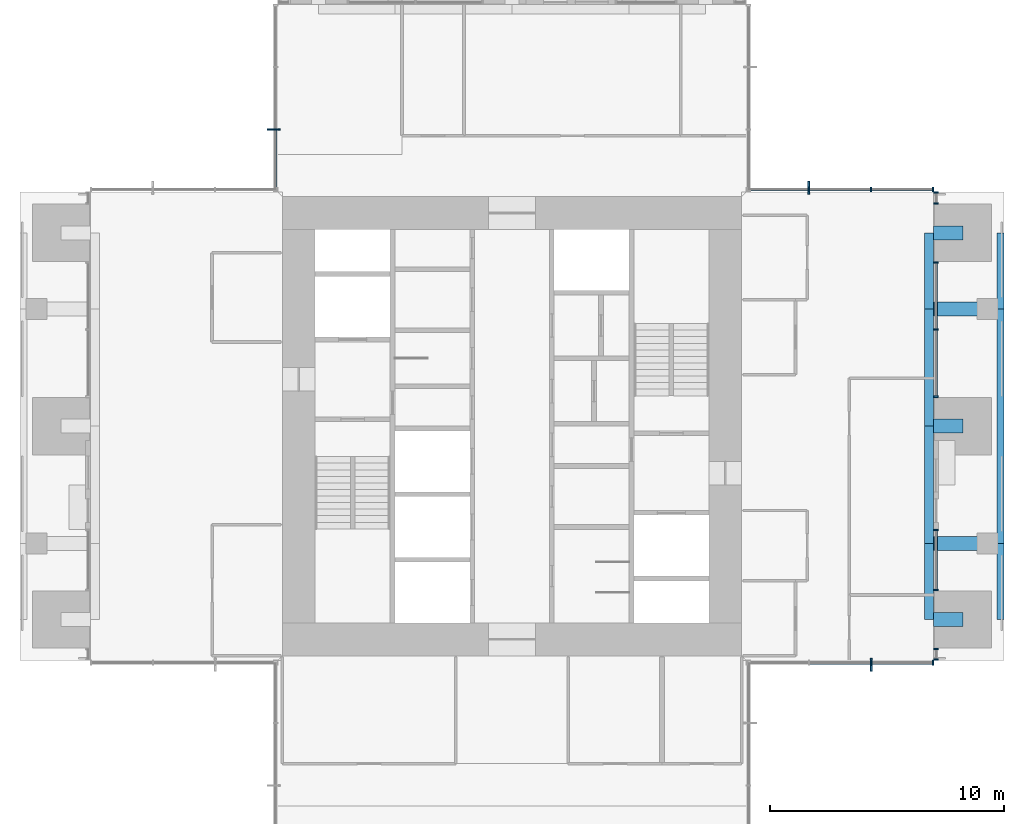
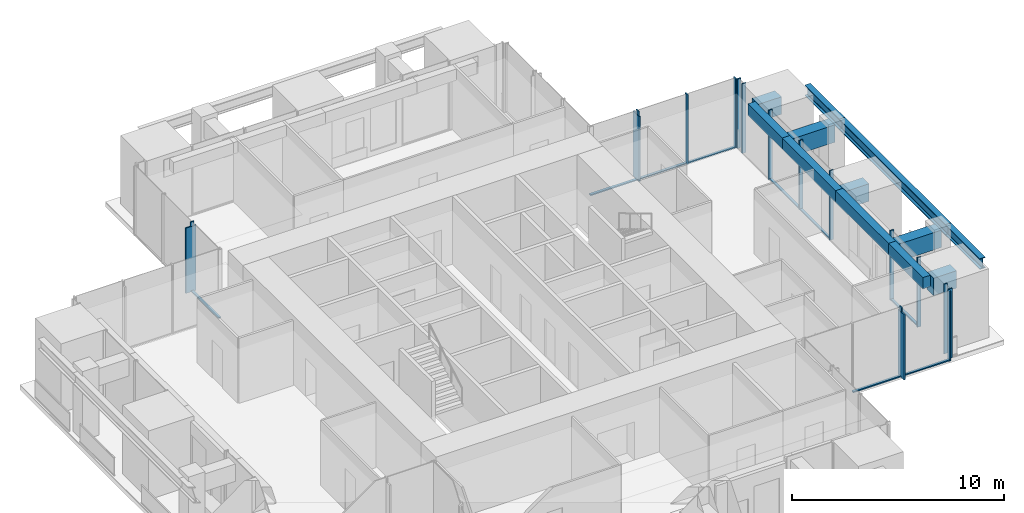
# One storey, part 4 of 17: 27 members, 12 beams, 7 elements without a shape of their own.
"""IFC4 building model written with IfcOpenShell, lengths in metres."""

from ifc_helpers import new_model, si_unit, direction, frame, origin, origin_2d, place, context, subcontext, project, spatial, rectangle, i_section, extrude, material, material_profile, profile_set, type_object, element, aggregate, save


model = new_model("IFC4")

# Units and contexts
model_context = context("Model", 3, precision=1e-05, world=origin(), true_north=direction((0.0, 1.0)))
body_context = subcontext(model_context, "Body", "Model", "MODEL_VIEW")
ifc_project = project(units=[si_unit("LENGTHUNIT", "METRE"), si_unit("AREAUNIT", "SQUARE_METRE"), si_unit("VOLUMEUNIT", "CUBIC_METRE"), si_unit("PLANEANGLEUNIT", "RADIAN"), si_unit("MASSUNIT", "GRAM", prefix="KILO")], contexts=[model_context])

# Site, building, storey
site_placement = place(None, origin())
site = spatial("IfcSite", under=ifc_project, at=site_placement, CompositionType="ELEMENT")
building_placement = place(site_placement, origin())
building = spatial("IfcBuilding", under=site, at=building_placement, Name="Svetlomir Tower", CompositionType="ELEMENT")
storey_placement = place(building_placement, frame((0.0, 0.0, 226.5)))
storey = spatial("IfcBuildingStorey", under=building, at=storey_placement, Name="L54", CompositionType="ELEMENT", Elevation=226.5)

# Curtain wall, member
ifc_material_1 = material(Name="Bronze anodised aluminium curtain wall", Category="aluminium")
curtain_wall_type = type_object("IfcCurtainWallType", Name="CURTAIN WALL CW1 TOWER OFFICE", PredefinedType="NOTDEFINED", material=ifc_material_1)
curtain_wall_1_placement = place(storey_placement, origin())
curtain_wall_1 = element("IfcCurtainWall", 1, at=curtain_wall_1_placement, inside=storey, type_object=curtain_wall_type, Name="Curtain wall CW1 L54", PredefinedType="NOTDEFINED")
ifc_material_2 = material(Name="Bronze anodised aluminium", Category="aluminium")
ifc_material_profile_1 = material_profile(ifc_material_2, rectangle(XDim=0.080078125, YDim=0.550048828125, at=origin_2d()), Name="FIN 80x550")
ifc_profile_set_1 = profile_set([ifc_material_profile_1], Name="Bronze anodised aluminium 6063-T6")
member_type_1 = type_object("IfcMemberType", Name="BRONZE FIN 80x550", PredefinedType="USERDEFINED", material=ifc_profile_set_1)
member_1_placement = place(storey_placement, frame((36.333251953125, 10.824951171875, 0.0), z_axis=(0.0, 0.0, 1.0), x_axis=(1.0, 0.0, 0.0)))
member_1 = element("IfcMember", 2, at=member_1_placement, type_object=member_type_1, Name="Bronze fin L54", ObjectType="FIN", PredefinedType="USERDEFINED", context=body_context, shape_type="SweptSolid", body=[
    extrude(rectangle(XDim=0.080078125, YDim=0.550048828125, at=origin_2d()), origin(), (0.0, 0.0, 1.0), 3.75),
])

curtain_wall_2_placement = place(storey_placement, origin())
curtain_wall_2 = element("IfcCurtainWall", 3, at=curtain_wall_2_placement, inside=storey, type_object=curtain_wall_type, Name="Curtain wall CW1 L54", PredefinedType="NOTDEFINED")
member_2_placement = place(storey_placement, frame((33.666748046875, 31.175048828125, 0.0), z_axis=(0.0, 0.0, 1.0), x_axis=(1.0, 0.0, 0.0)))
member_2 = element("IfcMember", 4, at=member_2_placement, type_object=member_type_1, Name="Bronze fin L54", ObjectType="FIN", PredefinedType="USERDEFINED", context=body_context, shape_type="SweptSolid", body=[
    extrude(rectangle(XDim=0.080078125, YDim=0.550048828125, at=origin_2d()), origin(), (0.0, 0.0, 1.0), 3.75),
])

curtain_wall_3_placement = place(storey_placement, origin())
curtain_wall_3 = element("IfcCurtainWall", 5, at=curtain_wall_3_placement, inside=storey, type_object=curtain_wall_type, Name="Curtain wall CW1 L54", PredefinedType="NOTDEFINED")
member_3_placement = place(storey_placement, frame((10.824951171875, 33.666748046875, 0.0), z_axis=(0.0, 0.0, 1.0), x_axis=(0.0, 1.0, 0.0)))
member_3 = element("IfcMember", 6, at=member_3_placement, type_object=member_type_1, Name="Bronze fin L54", ObjectType="FIN", PredefinedType="USERDEFINED", context=body_context, shape_type="SweptSolid", body=[
    extrude(rectangle(XDim=0.080078125, YDim=0.550048828125, at=origin_2d()), origin(), (0.0, 0.0, 1.0), 3.75),
])

# Member
ifc_material_3 = material(Name="Bronze anodised aluminium", Category="aluminium")
ifc_material_profile_2 = material_profile(ifc_material_3, rectangle(XDim=0.06494140625, YDim=0.199951171875, at=origin_2d()), Name="AL 65x200")
ifc_profile_set_2 = profile_set([ifc_material_profile_2], Name="Bronze anodised aluminium 6063-T6")
member_type_2 = type_object("IfcMemberType", Name="CW1 MULLION 65x200", PredefinedType="MULLION", material=ifc_profile_set_2)
member_4_placement = place(storey_placement, frame((36.333251953125, 10.89990234375, 0.0), z_axis=(0.0, 0.0, 1.0), x_axis=(1.0, 0.0, 0.0)))
member_4 = element("IfcMember", 7, at=member_4_placement, type_object=member_type_2, Name="CW1 mullion 3", PredefinedType="MULLION", context=body_context, shape_type="SweptSolid", body=[
    extrude(rectangle(XDim=0.06494140625, YDim=0.199951171875, at=origin_2d()), origin(), (0.0, 0.0, 1.0), 4.0),
])

member_5_placement = place(storey_placement, frame((38.967529296875, 10.89990234375, 0.0), z_axis=(0.0, 0.0, 1.0), x_axis=(1.0, 0.0, 0.0)))
member_5 = element("IfcMember", 8, at=member_5_placement, type_object=member_type_2, Name="CW1 mullion 4", PredefinedType="MULLION", context=body_context, shape_type="SweptSolid", body=[
    extrude(rectangle(XDim=0.06494140625, YDim=0.199951171875, at=origin_2d()), origin(), (0.0, 0.0, 1.0), 4.0),
])

# Curtain wall, members
curtain_wall_4_placement = place(storey_placement, origin())
curtain_wall_4 = element("IfcCurtainWall", 9, at=curtain_wall_4_placement, inside=storey, type_object=curtain_wall_type, Name="Curtain wall CW1 L54", PredefinedType="NOTDEFINED")
member_6_placement = place(storey_placement, frame((39.10009765625, 11.032470703125, 0.0), z_axis=(0.0, 0.0, 1.0), x_axis=(0.0, 1.0, 0.0)))
member_6 = element("IfcMember", 10, at=member_6_placement, type_object=member_type_2, Name="CW1 mullion 1", PredefinedType="MULLION", context=body_context, shape_type="SweptSolid", body=[
    extrude(rectangle(XDim=0.06494140625, YDim=0.199951171875, at=origin_2d()), origin(), (0.0, 0.0, 1.0), 4.0),
])
member_7_placement = place(storey_placement, frame((39.10009765625, 11.492431640625, 0.0), z_axis=(0.0, 0.0, 1.0), x_axis=(0.0, 1.0, 0.0)))
member_7 = element("IfcMember", 11, at=member_7_placement, type_object=member_type_2, Name="CW1 mullion 2", PredefinedType="MULLION", context=body_context, shape_type="SweptSolid", body=[
    extrude(rectangle(XDim=0.06494140625, YDim=0.199951171875, at=origin_2d()), origin(), (0.0, 0.0, 1.0), 4.0),
])
aggregate(curtain_wall_4, [member_6, member_7])

curtain_wall_5_placement = place(storey_placement, origin())
curtain_wall_5 = element("IfcCurtainWall", 12, at=curtain_wall_5_placement, inside=storey, type_object=curtain_wall_type, Name="Curtain wall CW1 L54", PredefinedType="NOTDEFINED")
member_8_placement = place(storey_placement, frame((39.10009765625, 14.007568359375, 0.0), z_axis=(0.0, 0.0, 1.0), x_axis=(0.0, 1.0, 0.0)))
member_8 = element("IfcMember", 13, at=member_8_placement, type_object=member_type_2, Name="CW1 mullion 1", PredefinedType="MULLION", context=body_context, shape_type="SweptSolid", body=[
    extrude(rectangle(XDim=0.06494140625, YDim=0.199951171875, at=origin_2d()), origin(), (0.0, 0.0, 1.0), 4.0),
])
member_9_placement = place(storey_placement, frame((39.10009765625, 16.5673828125, 0.0), z_axis=(0.0, 0.0, 1.0), x_axis=(0.0, 1.0, 0.0)))
member_9 = element("IfcMember", 14, at=member_9_placement, type_object=member_type_2, Name="CW1 mullion 2", PredefinedType="MULLION", context=body_context, shape_type="SweptSolid", body=[
    extrude(rectangle(XDim=0.06494140625, YDim=0.199951171875, at=origin_2d()), origin(), (0.0, 0.0, 1.0), 4.0),
])

curtain_wall_6_placement = place(storey_placement, origin())
curtain_wall_6 = element("IfcCurtainWall", 15, at=curtain_wall_6_placement, inside=storey, type_object=curtain_wall_type, Name="Curtain wall CW1 L54", PredefinedType="NOTDEFINED")
member_10_placement = place(storey_placement, frame((39.10009765625, 22.257568359375, 0.0), z_axis=(0.0, 0.0, 1.0), x_axis=(0.0, 1.0, 0.0)))
member_10 = element("IfcMember", 16, at=member_10_placement, type_object=member_type_2, Name="CW1 mullion 1", PredefinedType="MULLION", context=body_context, shape_type="SweptSolid", body=[
    extrude(rectangle(XDim=0.06494140625, YDim=0.199951171875, at=origin_2d()), origin(), (0.0, 0.0, 1.0), 4.0),
])
member_11_placement = place(storey_placement, frame((39.10009765625, 25.125, 0.0), z_axis=(0.0, 0.0, 1.0), x_axis=(0.0, 1.0, 0.0)))
member_11 = element("IfcMember", 17, at=member_11_placement, type_object=member_type_2, Name="CW1 mullion 2", PredefinedType="MULLION", context=body_context, shape_type="SweptSolid", body=[
    extrude(rectangle(XDim=0.06494140625, YDim=0.199951171875, at=origin_2d()), origin(), (0.0, 0.0, 1.0), 4.0),
])
member_12_placement = place(storey_placement, frame((39.10009765625, 27.992431640625, 0.0), z_axis=(0.0, 0.0, 1.0), x_axis=(0.0, 1.0, 0.0)))
member_12 = element("IfcMember", 18, at=member_12_placement, type_object=member_type_2, Name="CW1 mullion 3", PredefinedType="MULLION", context=body_context, shape_type="SweptSolid", body=[
    extrude(rectangle(XDim=0.06494140625, YDim=0.199951171875, at=origin_2d()), origin(), (0.0, 0.0, 1.0), 4.0),
])

curtain_wall_7_placement = place(storey_placement, origin())
curtain_wall_7 = element("IfcCurtainWall", 19, at=curtain_wall_7_placement, inside=storey, type_object=curtain_wall_type, Name="Curtain wall CW1 L54", PredefinedType="NOTDEFINED")
member_13_placement = place(storey_placement, frame((39.10009765625, 30.507568359375, 0.0), z_axis=(0.0, 0.0, 1.0), x_axis=(0.0, 1.0, 0.0)))
member_13 = element("IfcMember", 20, at=member_13_placement, type_object=member_type_2, Name="CW1 mullion 1", PredefinedType="MULLION", context=body_context, shape_type="SweptSolid", body=[
    extrude(rectangle(XDim=0.06494140625, YDim=0.199951171875, at=origin_2d()), origin(), (0.0, 0.0, 1.0), 4.0),
])
member_14_placement = place(storey_placement, frame((39.10009765625, 30.967529296875, 0.0), z_axis=(0.0, 0.0, 1.0), x_axis=(0.0, 1.0, 0.0)))
member_14 = element("IfcMember", 21, at=member_14_placement, type_object=member_type_2, Name="CW1 mullion 2", PredefinedType="MULLION", context=body_context, shape_type="SweptSolid", body=[
    extrude(rectangle(XDim=0.06494140625, YDim=0.199951171875, at=origin_2d()), origin(), (0.0, 0.0, 1.0), 4.0),
])
aggregate(curtain_wall_7, [member_13, member_14])

# Member
member_15_placement = place(storey_placement, frame((38.967529296875, 31.10009765625, 0.0), z_axis=(0.0, 0.0, 1.0), x_axis=(-1.0, 0.0, 0.0)))
member_15 = element("IfcMember", 22, at=member_15_placement, type_object=member_type_2, Name="CW1 mullion 1", PredefinedType="MULLION", context=body_context, shape_type="SweptSolid", body=[
    extrude(rectangle(XDim=0.06494140625, YDim=0.199951171875, at=origin_2d()), origin(), (0.0, 0.0, 1.0), 4.0),
])

member_16_placement = place(storey_placement, frame((36.333251953125, 31.10009765625, 0.0), z_axis=(0.0, 0.0, 1.0), x_axis=(-1.0, 0.0, 0.0)))
member_16 = element("IfcMember", 23, at=member_16_placement, type_object=member_type_2, Name="CW1 mullion 2", PredefinedType="MULLION", context=body_context, shape_type="SweptSolid", body=[
    extrude(rectangle(XDim=0.06494140625, YDim=0.199951171875, at=origin_2d()), origin(), (0.0, 0.0, 1.0), 4.0),
])

member_17_placement = place(storey_placement, frame((33.666748046875, 31.10009765625, 0.0), z_axis=(0.0, 0.0, 1.0), x_axis=(-1.0, 0.0, 0.0)))
member_17 = element("IfcMember", 24, at=member_17_placement, type_object=member_type_2, Name="CW1 mullion 3", PredefinedType="MULLION", context=body_context, shape_type="SweptSolid", body=[
    extrude(rectangle(XDim=0.06494140625, YDim=0.199951171875, at=origin_2d()), origin(), (0.0, 0.0, 1.0), 4.0),
])

member_18_placement = place(storey_placement, frame((10.89990234375, 33.666748046875, 0.0), z_axis=(0.0, 0.0, 1.0), x_axis=(0.0, -1.0, 0.0)))
member_18 = element("IfcMember", 25, at=member_18_placement, type_object=member_type_2, Name="CW1 mullion 3", PredefinedType="MULLION", context=body_context, shape_type="SweptSolid", body=[
    extrude(rectangle(XDim=0.06494140625, YDim=0.199951171875, at=origin_2d()), origin(), (0.0, 0.0, 1.0), 4.0),
])

ifc_material_4 = material(Name="Bronze anodised aluminium", Category="aluminium")
ifc_material_profile_3 = material_profile(ifc_material_4, rectangle(XDim=0.139892578125, YDim=0.06494140625, at=origin_2d()), Name="AL 140x65")
ifc_profile_set_3 = profile_set([ifc_material_profile_3], Name="Bronze anodised aluminium 6063-T6")
member_type_3 = type_object("IfcMemberType", Name="CW1 TRANSOM 65x140", PredefinedType="USERDEFINED", material=ifc_profile_set_3)
member_19_placement = place(storey_placement, frame((33.69921875, 10.89990234375, 0.032470703125), z_axis=(1.0, 0.0, 0.0), x_axis=(0.0, 1.0, 0.0)))
member_19 = element("IfcMember", 26, at=member_19_placement, type_object=member_type_3, Name="CW1 transom 2.1", ObjectType="TRANSOM", PredefinedType="USERDEFINED", context=body_context, shape_type="SweptSolid", body=[
    extrude(rectangle(XDim=0.139892578125, YDim=0.06494140625, at=origin_2d()), origin(), (0.0, 0.0, 1.0), 2.6015625),
])

member_20_placement = place(storey_placement, frame((36.36572265625, 10.89990234375, 0.032470703125), z_axis=(1.0, 0.0, 0.0), x_axis=(0.0, 1.0, 0.0)))
member_20 = element("IfcMember", 27, at=member_20_placement, type_object=member_type_3, Name="CW1 transom 3.1", ObjectType="TRANSOM", PredefinedType="USERDEFINED", context=body_context, shape_type="SweptSolid", body=[
    extrude(rectangle(XDim=0.139892578125, YDim=0.06494140625, at=origin_2d()), origin(), (0.0, 0.0, 1.0), 2.5693359375),
])

aggregate(curtain_wall_1, [member_4, member_5, member_19, member_20, member_1])

member_21_placement = place(storey_placement, frame((39.10009765625, 14.0400390625, 0.032470703125), z_axis=(0.0, 1.0, 0.0), x_axis=(-1.0, 0.0, 0.0)))
member_21 = element("IfcMember", 28, at=member_21_placement, type_object=member_type_3, Name="CW1 transom 1.1", ObjectType="TRANSOM", PredefinedType="USERDEFINED", context=body_context, shape_type="SweptSolid", body=[
    extrude(rectangle(XDim=0.139892578125, YDim=0.06494140625, at=origin_2d()), origin(), (0.0, 0.0, 1.0), 2.494873046875),
])

aggregate(curtain_wall_5, [member_8, member_9, member_21])

member_22_placement = place(storey_placement, frame((39.10009765625, 22.2900390625, 0.032470703125), z_axis=(0.0, 1.0, 0.0), x_axis=(-1.0, 0.0, 0.0)))
member_22 = element("IfcMember", 29, at=member_22_placement, type_object=member_type_3, Name="CW1 transom 1.1", ObjectType="TRANSOM", PredefinedType="USERDEFINED", context=body_context, shape_type="SweptSolid", body=[
    extrude(rectangle(XDim=0.139892578125, YDim=0.06494140625, at=origin_2d()), origin(), (0.0, 0.0, 1.0), 2.802490234375),
])

member_23_placement = place(storey_placement, frame((39.10009765625, 25.157470703125, 0.032470703125), z_axis=(0.0, 1.0, 0.0), x_axis=(-1.0, 0.0, 0.0)))
member_23 = element("IfcMember", 30, at=member_23_placement, type_object=member_type_3, Name="CW1 transom 2.1", ObjectType="TRANSOM", PredefinedType="USERDEFINED", context=body_context, shape_type="SweptSolid", body=[
    extrude(rectangle(XDim=0.139892578125, YDim=0.06494140625, at=origin_2d()), origin(), (0.0, 0.0, 1.0), 2.802490234375),
])

aggregate(curtain_wall_6, [member_10, member_11, member_12, member_22, member_23])

member_24_placement = place(storey_placement, frame((38.93505859375, 31.10009765625, 0.032470703125), z_axis=(-1.0, 0.0, 0.0), x_axis=(0.0, -1.0, 0.0)))
member_24 = element("IfcMember", 31, at=member_24_placement, type_object=member_type_3, Name="CW1 transom 1.1", ObjectType="TRANSOM", PredefinedType="USERDEFINED", context=body_context, shape_type="SweptSolid", body=[
    extrude(rectangle(XDim=0.139892578125, YDim=0.06494140625, at=origin_2d()), origin(), (0.0, 0.0, 1.0), 2.5693359375),
])

member_25_placement = place(storey_placement, frame((36.30078125, 31.10009765625, 0.032470703125), z_axis=(-1.0, 0.0, 0.0), x_axis=(0.0, -1.0, 0.0)))
member_25 = element("IfcMember", 32, at=member_25_placement, type_object=member_type_3, Name="CW1 transom 2.1", ObjectType="TRANSOM", PredefinedType="USERDEFINED", context=body_context, shape_type="SweptSolid", body=[
    extrude(rectangle(XDim=0.139892578125, YDim=0.06494140625, at=origin_2d()), origin(), (0.0, 0.0, 1.0), 2.6015625),
])

member_26_placement = place(storey_placement, frame((33.63427734375, 31.10009765625, 0.032470703125), z_axis=(-1.0, 0.0, 0.0), x_axis=(0.0, -1.0, 0.0)))
member_26 = element("IfcMember", 33, at=member_26_placement, type_object=member_type_3, Name="CW1 transom 3.1", ObjectType="TRANSOM", PredefinedType="USERDEFINED", context=body_context, shape_type="SweptSolid", body=[
    extrude(rectangle(XDim=0.139892578125, YDim=0.06494140625, at=origin_2d()), origin(), (0.0, 0.0, 1.0), 2.5693359375),
])

aggregate(curtain_wall_2, [member_15, member_16, member_17, member_24, member_25, member_26, member_2])

member_27_placement = place(storey_placement, frame((10.89990234375, 33.63427734375, 0.032470703125), z_axis=(0.0, -1.0, 0.0), x_axis=(1.0, 0.0, 0.0)))
member_27 = element("IfcMember", 34, at=member_27_placement, type_object=member_type_3, Name="CW1 transom 3.1", ObjectType="TRANSOM", PredefinedType="USERDEFINED", context=body_context, shape_type="SweptSolid", body=[
    extrude(rectangle(XDim=0.139892578125, YDim=0.06494140625, at=origin_2d()), origin(), (0.0, 0.0, 1.0), 2.5693359375),
])

aggregate(curtain_wall_3, [member_18, member_27, member_3])

# Beams
ifc_material_5 = material(Name="Steel S355", Category="steel")
ifc_material_profile_4 = material_profile(ifc_material_5, i_section(OverallWidth=0.304931640625, OverallDepth=0.6201171875, WebThickness=0.02099609375, FlangeThickness=0.0400390625, FilletRadius=0.027099609375, at=origin_2d()), Name="HEM 600")
ifc_profile_set_4 = profile_set([ifc_material_profile_4], Name="Steel S355")
beam_type_1 = type_object("IfcBeamType", Name="EDGE BEAM HEM 600", PredefinedType="SPANDREL", material=ifc_profile_set_4)
beam_1_placement = place(storey_placement, frame((41.847412109375, 12.75, 3.43994140625), z_axis=(0.0, 1.0, 0.0), x_axis=(-1.0, 0.0, 0.0)))
element("IfcBeam", 35, at=beam_1_placement, inside=storey, type_object=beam_type_1, Name="Edge beam 42/11 to 42/16 under L55", PredefinedType="SPANDREL", context=body_context, shape_type="SweptSolid", body=[
    extrude(i_section(OverallWidth=0.304931640625, OverallDepth=0.6201171875, WebThickness=0.02099609375, FlangeThickness=0.0400390625, FilletRadius=0.027099609375, at=origin_2d()), origin(), (0.0, 0.0, 1.0), 3.25),
])
beam_2_placement = place(storey_placement, frame((41.847412109375, 16.0, 3.43994140625), z_axis=(0.0, 1.0, 0.0), x_axis=(-1.0, 0.0, 0.0)))
element("IfcBeam", 36, at=beam_2_placement, inside=storey, type_object=beam_type_1, Name="Edge beam 42/16 to 42/26 under L55", PredefinedType="SPANDREL", context=body_context, shape_type="SweptSolid", body=[
    extrude(i_section(OverallWidth=0.304931640625, OverallDepth=0.6201171875, WebThickness=0.02099609375, FlangeThickness=0.0400390625, FilletRadius=0.027099609375, at=origin_2d()), origin(), (0.0, 0.0, 1.0), 10.0),
])
beam_3_placement = place(storey_placement, frame((41.847412109375, 26.0, 3.43994140625), z_axis=(0.0, 1.0, 0.0), x_axis=(-1.0, 0.0, 0.0)))
element("IfcBeam", 37, at=beam_3_placement, inside=storey, type_object=beam_type_1, Name="Edge beam 42/26 to 42/31 under L55", PredefinedType="SPANDREL", context=body_context, shape_type="SweptSolid", body=[
    extrude(i_section(OverallWidth=0.304931640625, OverallDepth=0.6201171875, WebThickness=0.02099609375, FlangeThickness=0.0400390625, FilletRadius=0.027099609375, at=origin_2d()), origin(), (0.0, 0.0, 1.0), 3.25),
])
ifc_material_6 = material(Name="Concrete C60/75", Category="concrete")
ifc_material_profile_5 = material_profile(ifc_material_6, rectangle(XDim=0.39990234375, YDim=0.64990234375, at=origin_2d()), Name="RC 400x650")
ifc_profile_set_5 = profile_set([ifc_material_profile_5], Name="Concrete C60/75")
beam_type_2 = type_object("IfcBeamType", Name="FACADE EDGE BEAM RC 400x650", PredefinedType="BEAM", material=ifc_profile_set_5)
beam_4_placement = place(storey_placement, frame((38.800048828125, 12.75, 3.425048828125), z_axis=(0.0, 1.0, 0.0), x_axis=(-1.0, 0.0, 0.0)))
element("IfcBeam", 38, at=beam_4_placement, inside=storey, type_object=beam_type_2, Name="Facade edge beam E 11 to 16 under L55", PredefinedType="BEAM", context=body_context, shape_type="SweptSolid", body=[
    extrude(rectangle(XDim=0.39990234375, YDim=0.64990234375, at=origin_2d()), origin(), (0.0, 0.0, 1.0), 3.25),
])
for number, where, z_axis, x_axis, name in (
    (39, (38.800048828125, 16.0, 3.425048828125), (0.0, 1.0, 0.0), (-1.0, 0.0, 0.0), "Facade edge beam E 16 to 21 under L55"),
    (40, (38.800048828125, 21.0, 3.425048828125), (0.0, 1.0, 0.0), (-1.0, 0.0, 0.0), "Facade edge beam E 21 to 26 under L55"),
):
    element("IfcBeam", number, at=place(storey_placement, frame(where, z_axis=z_axis, x_axis=x_axis)), inside=storey, type_object=beam_type_2, Name=name, PredefinedType="BEAM", context=body_context, shape_type="SweptSolid", body=[
        extrude(rectangle(XDim=0.39990234375, YDim=0.64990234375, at=origin_2d()), origin(), (0.0, 0.0, 1.0), 5.0),
    ])
beam_5_placement = place(storey_placement, frame((38.800048828125, 26.0, 3.425048828125), z_axis=(0.0, 1.0, 0.0), x_axis=(-1.0, 0.0, 0.0)))
element("IfcBeam", 41, at=beam_5_placement, inside=storey, type_object=beam_type_2, Name="Facade edge beam E 26 to 31 under L55", PredefinedType="BEAM", context=body_context, shape_type="SweptSolid", body=[
    extrude(rectangle(XDim=0.39990234375, YDim=0.64990234375, at=origin_2d()), origin(), (0.0, 0.0, 1.0), 3.25),
])
ifc_material_7 = material(Name="Concrete C60/75", Category="concrete")
ifc_material_profile_6 = material_profile(ifc_material_7, rectangle(XDim=0.60009765625, YDim=1.0, at=origin_2d()), Name="RC 600x1000")
ifc_profile_set_6 = profile_set([ifc_material_profile_6], Name="Concrete C60/75")
beam_type_3 = type_object("IfcBeamType", Name="LOGGIA LINK BEAM RC 600x1000", PredefinedType="BEAM", material=ifc_profile_set_6)
beam_6_placement = place(storey_placement, frame((40.25, 12.75, 3.25), z_axis=(-1.0, 0.0, 0.0), x_axis=(0.0, -1.0, 0.0)))
element("IfcBeam", 42, at=beam_6_placement, inside=storey, type_object=beam_type_3, Name="Loggia link beam E 11 under L55", PredefinedType="BEAM", context=body_context, shape_type="SweptSolid", body=[
    extrude(rectangle(XDim=0.60009765625, YDim=1.0, at=origin_2d()), origin(), (0.0, 0.0, 1.0), 1.25),
])
beam_7_placement = place(storey_placement, frame((41.300048828125, 16.0, 3.25), z_axis=(-1.0, 0.0, 0.0), x_axis=(0.0, -1.0, 0.0)))
element("IfcBeam", 43, at=beam_7_placement, inside=storey, type_object=beam_type_3, Name="Loggia link beam E 16 under L55", PredefinedType="BEAM", context=body_context, shape_type="SweptSolid", body=[
    extrude(rectangle(XDim=0.60009765625, YDim=1.0, at=origin_2d()), origin(), (0.0, 0.0, 1.0), 2.300048828125),
])
beam_8_placement = place(storey_placement, frame((40.25, 21.0, 3.25), z_axis=(-1.0, 0.0, 0.0), x_axis=(0.0, -1.0, 0.0)))
element("IfcBeam", 44, at=beam_8_placement, inside=storey, type_object=beam_type_3, Name="Loggia link beam E 21 under L55", PredefinedType="BEAM", context=body_context, shape_type="SweptSolid", body=[
    extrude(rectangle(XDim=0.60009765625, YDim=1.0, at=origin_2d()), origin(), (0.0, 0.0, 1.0), 1.25),
])
beam_9_placement = place(storey_placement, frame((41.300048828125, 26.0, 3.25), z_axis=(-1.0, 0.0, 0.0), x_axis=(0.0, -1.0, 0.0)))
element("IfcBeam", 45, at=beam_9_placement, inside=storey, type_object=beam_type_3, Name="Loggia link beam E 26 under L55", PredefinedType="BEAM", context=body_context, shape_type="SweptSolid", body=[
    extrude(rectangle(XDim=0.60009765625, YDim=1.0, at=origin_2d()), origin(), (0.0, 0.0, 1.0), 2.300048828125),
])
beam_10_placement = place(storey_placement, frame((40.25, 29.25, 3.25), z_axis=(-1.0, 0.0, 0.0), x_axis=(0.0, -1.0, 0.0)))
element("IfcBeam", 46, at=beam_10_placement, inside=storey, type_object=beam_type_3, Name="Loggia link beam E 31 under L55", PredefinedType="BEAM", context=body_context, shape_type="SweptSolid", body=[
    extrude(rectangle(XDim=0.60009765625, YDim=1.0, at=origin_2d()), origin(), (0.0, 0.0, 1.0), 1.25),
])

save(model, "model.ifc")
